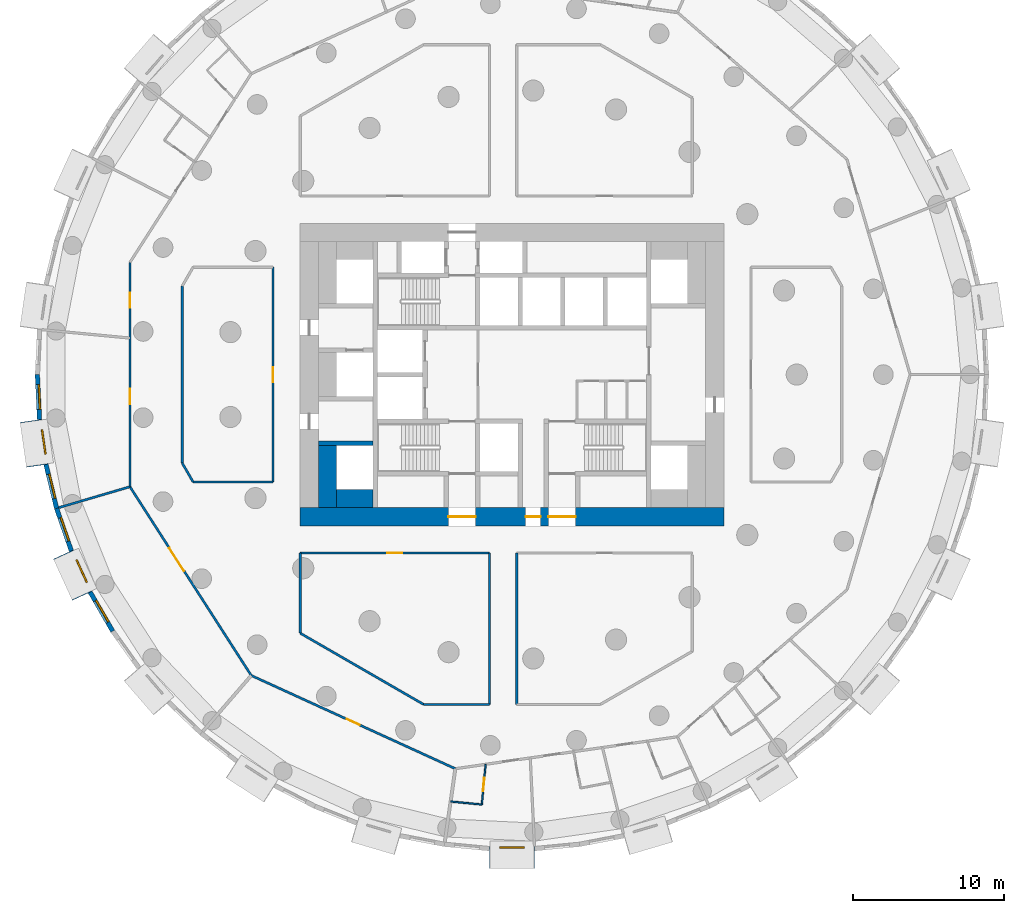
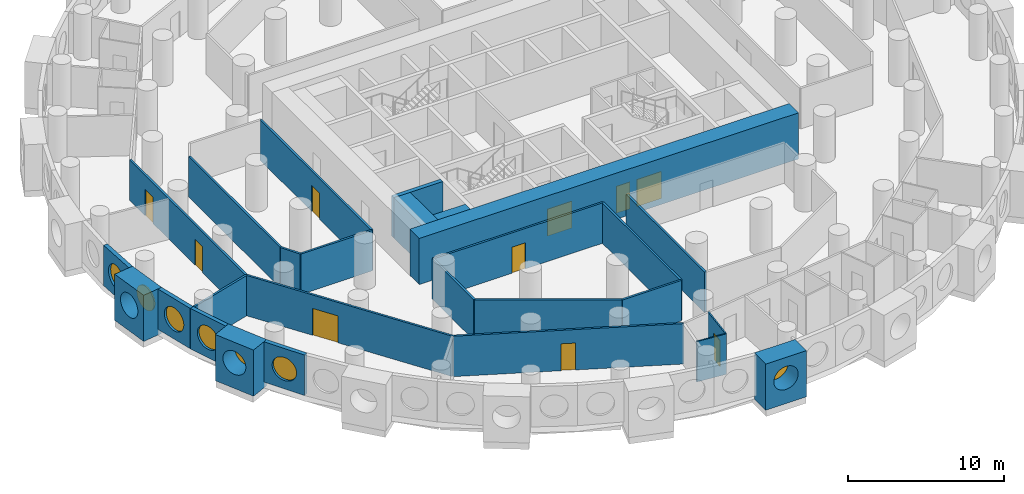
# One storey, part 3 of 11: 27 walls, 10 doors, 7 windows, 17 openings.
"""IFC4 building model written with IfcOpenShell, lengths in metres."""

from ifc_helpers import new_model, si_unit, direction, frame, frame_2d, origin, origin_2d, place, context, subcontext, project, spatial, rectangle, circle, extrude, material, layer, layer_set, type_object, element, fill, save


model = new_model("IFC4")

# Units and contexts
model_context = context("Model", 3, precision=1e-05, world=origin(), true_north=direction((0.0, 1.0)))
body_context = subcontext(model_context, "Body", "Model", "MODEL_VIEW")
ifc_project = project(units=[si_unit("LENGTHUNIT", "METRE"), si_unit("AREAUNIT", "SQUARE_METRE"), si_unit("VOLUMEUNIT", "CUBIC_METRE"), si_unit("PLANEANGLEUNIT", "RADIAN"), si_unit("MASSUNIT", "GRAM", prefix="KILO")], contexts=[model_context])

# Site, building, storey
site_placement = place(None, origin())
site = spatial("IfcSite", under=ifc_project, at=site_placement, CompositionType="ELEMENT")
building_placement = place(site_placement, origin())
building = spatial("IfcBuilding", under=site, at=building_placement, Name="Tracery Tower", CompositionType="ELEMENT")
storey_placement = place(building_placement, frame((0.0, 0.0, 100.199951171875)))
storey = spatial("IfcBuildingStorey", under=building, at=storey_placement, Name="L25", CompositionType="ELEMENT", Elevation=100.199951171875)

# Walls
ifc_material_1 = material(Name="Concrete C60/75", Category="concrete")
ifc_layer_1 = layer(ifc_material_1, 1.199951171875)
ifc_layer_set_1 = layer_set([ifc_layer_1], Name="Core strip wall 1200 C60")
wall_type_1 = type_object("IfcWallType", Name="Core strip wall 1200 C60", PredefinedType="SOLIDWALL", material=ifc_layer_set_1)
wall_1_placement = place(storey_placement, frame((-12.199951171875, -8.800048828125, 0.0), z_axis=(0.0, 0.0, 1.0), x_axis=(0.0, 1.0, 0.0)))
element("IfcWall", 1, at=wall_1_placement, inside=storey, type_object=wall_type_1, Name="L25 wing strip -1 -9.4", PredefinedType="SOLIDWALL", context=body_context, shape_type="SweptSolid", body=[
    extrude(rectangle(XDim=4.10009765625, YDim=1.199951171875, at=frame_2d((2.050048828125, 0.0))), origin(), (0.0, 0.0, 1.0), 3.150146484375),
])
wall_2_placement = place(storey_placement, frame((-11.60009765625, -8.199951171875, 0.0), z_axis=(0.0, 0.0, 1.0), x_axis=(1.0, 0.0, 0.0)))
element("IfcWall", 2, at=wall_2_placement, inside=storey, type_object=wall_type_1, Name="L25 wing corner -1 -8.2", PredefinedType="SOLIDWALL", context=body_context, shape_type="SweptSolid", body=[
    extrude(rectangle(XDim=2.400146484375, YDim=1.199951171875, at=frame_2d((1.2001953125, 0.0))), origin(), (0.0, 0.0, 1.0), 3.150146484375),
])

# Wall, openings, doors
ifc_material_2 = material(Name="Concrete C60/75", Category="concrete")
ifc_layer_2 = layer(ifc_material_2, 1.199951171875)
ifc_layer_set_2 = layer_set([ifc_layer_2], Name="Core wall 1200 C60")
wall_type_2 = type_object("IfcWallType", Name="Core wall 1200 C60", PredefinedType="SOLIDWALL", material=ifc_layer_set_2)
wall_3_placement = place(storey_placement, frame((-14.0, -9.39990234375, 0.0), z_axis=(0.0, 0.0, 1.0), x_axis=(1.0, 0.0, 0.0)))
wall_3 = element("IfcWall", 3, at=wall_3_placement, inside=storey, type_object=wall_type_2, Name="L25 outer S", PredefinedType="SOLIDWALL", context=body_context, shape_type="SweptSolid", body=[
    extrude(rectangle(XDim=28.0, YDim=1.199951171875, at=frame_2d((14.0, 0.0))), origin(), (0.0, 0.0, 1.0), 3.60009765625),
])
opening_1_placement = place(wall_3_placement, frame((14.89990234375, 0.0, 0.0)))
opening_1 = element("IfcOpeningElement", 4, at=opening_1_placement, cuts=wall_3, Name="Opening KD16", PredefinedType="OPENING", context=body_context, shape_type="SweptSolid", body=[
    extrude(rectangle(XDim=1.0, YDim=2.10009765625, at=frame_2d((0.5, 1.050048828125))), frame((0.0, 0.60009765625, 0.0), z_axis=(0.0, -1.0, 0.0), x_axis=(1.0, 0.0, 0.0)), (0.0, 0.0, 1.0), 1.199951171875),
])
opening_2_placement = place(wall_3_placement, frame((9.800048828125, 0.0, 0.0)))
opening_2 = element("IfcOpeningElement", 5, at=opening_2_placement, cuts=wall_3, Name="Opening KD13", PredefinedType="OPENING", context=body_context, shape_type="SweptSolid", body=[
    extrude(rectangle(XDim=1.800048828125, YDim=2.10009765625, at=frame_2d((0.89990234375, 1.050048828125))), frame((0.0, 0.60009765625, 0.0), z_axis=(0.0, -1.0, 0.0), x_axis=(1.0, 0.0, 0.0)), (0.0, 0.0, 1.0), 1.199951171875),
])
opening_3_placement = place(wall_3_placement, frame((16.39990234375, 0.0, 0.0)))
opening_3 = element("IfcOpeningElement", 6, at=opening_3_placement, cuts=wall_3, Name="Opening KD13", PredefinedType="OPENING", context=body_context, shape_type="SweptSolid", body=[
    extrude(rectangle(XDim=1.800048828125, YDim=2.10009765625, at=frame_2d((0.89990234375, 1.050048828125))), frame((0.0, 0.60009765625, 0.0), z_axis=(0.0, -1.0, 0.0), x_axis=(1.0, 0.0, 0.0)), (0.0, 0.0, 1.0), 1.199951171875),
])
ifc_material_3 = material(Name="Steel fire door", Category="steel")
door_type_1 = type_object("IfcDoorType", Name="Core exit door 1000", OperationType="NOTDEFINED", PredefinedType="DOOR", material=ifc_material_3)
door_1_placement = place(opening_1_placement, origin())
door_1 = element("IfcDoor", 7, at=door_1_placement, inside=storey, type_object=door_type_1, Name="Core exit door", OperationType="SINGLE_SWING_LEFT", OverallHeight=2.10009765625, OverallWidth=1.0, PredefinedType="DOOR", context=body_context, shape_type="SweptSolid", body=[
    extrude(rectangle(XDim=1.0, YDim=2.10009765625, at=frame_2d((0.5, 1.050048828125))), frame((0.0, 0.02490234375, 0.0), z_axis=(0.0, -1.0, 0.0), x_axis=(1.0, 0.0, 0.0)), (0.0, 0.0, 1.0), 0.050048828125),
])
fill(opening_1, door_1)
ifc_material_4 = material(Name="Steel fire door", Category="steel")
door_type_2 = type_object("IfcDoorType", Name="Core exit door 1800 double", OperationType="NOTDEFINED", PredefinedType="DOOR", material=ifc_material_4)
door_2_placement = place(opening_2_placement, origin())
door_2 = element("IfcDoor", 8, at=door_2_placement, inside=storey, type_object=door_type_2, Name="Core exit door", OperationType="DOUBLE_DOOR_SINGLE_SWING", OverallHeight=2.10009765625, OverallWidth=1.800048828125, PredefinedType="DOOR", context=body_context, shape_type="SweptSolid", body=[
    extrude(rectangle(XDim=1.800048828125, YDim=2.10009765625, at=frame_2d((0.89990234375, 1.050048828125))), frame((0.0, 0.02490234375, 0.0), z_axis=(0.0, -1.0, 0.0), x_axis=(1.0, 0.0, 0.0)), (0.0, 0.0, 1.0), 0.050048828125),
])
fill(opening_2, door_2)
door_3_placement = place(opening_3_placement, origin())
door_3 = element("IfcDoor", 9, at=door_3_placement, inside=storey, type_object=door_type_2, Name="Core exit door", OperationType="DOUBLE_DOOR_SINGLE_SWING", OverallHeight=2.10009765625, OverallWidth=1.800048828125, PredefinedType="DOOR", context=body_context, shape_type="SweptSolid", body=[
    extrude(rectangle(XDim=1.800048828125, YDim=2.10009765625, at=frame_2d((0.89990234375, 1.050048828125))), frame((0.0, 0.02490234375, 0.0), z_axis=(0.0, -1.0, 0.0), x_axis=(1.0, 0.0, 0.0)), (0.0, 0.0, 1.0), 0.050048828125),
])
fill(opening_3, door_3)

# Wall, opening, window
ifc_material_5 = material(Name="Precast concrete C50/60", Category="concrete")
ifc_layer_3 = layer(ifc_material_5, 1.449951171875)
ifc_layer_set_3 = layer_set([ifc_layer_3], Name="Deep-set bay unit 3000 x 3600, slab edge 450")
wall_type_3 = type_object("IfcWallType", Name="Deep-set bay unit 3000 x 3600, slab edge 450", PredefinedType="ELEMENTEDWALL", material=ifc_layer_set_3)
wall_4_placement = place(storey_placement, frame((-31.802490234375, -3.05712890625, -0.449951171875), z_axis=(0.0, 0.0, 1.0), x_axis=(0.142332746704, -0.989818866872, 0.0)))
wall_4 = element("IfcWall", 10, at=wall_4_placement, inside=storey, type_object=wall_type_3, Name="Deep-set bay unit 35 at L25", PredefinedType="ELEMENTEDWALL", context=body_context, shape_type="SweptSolid", body=[
    extrude(rectangle(XDim=3.0, YDim=1.449951171875, at=frame_2d((1.5, 0.0))), origin(), (0.0, 0.0, 1.0), 3.60009765625),
])
opening_4_placement = place(wall_4_placement, frame((1.5, 0.0, 2.0)))
opening_4 = element("IfcOpeningElement", 11, at=opening_4_placement, cuts=wall_4, Name="Opening WN1", PredefinedType="OPENING", context=body_context, shape_type="SweptSolid", body=[
    extrude(circle(Radius=0.9000244140625, at=origin_2d()), frame((0.0, 0.73486328125, 0.0), z_axis=(0.0, -1.0, 0.0), x_axis=(1.0, 0.0, 0.0)), (0.0, 0.0, 1.0), 1.469970703125),
])
ifc_material_6 = material(Name="Aluminium frame with tinted double glazing", Category="aluminium")
window_type = type_object("IfcWindowType", Name="Round window 1800", PartitioningType="SINGLE_PANEL", PredefinedType="WINDOW", material=ifc_material_6)
window_1_placement = place(opening_4_placement, origin())
window_1 = element("IfcWindow", 12, at=window_1_placement, inside=storey, type_object=window_type, Name="Round window 35 at L25", OverallHeight=1.800048828125, OverallWidth=1.800048828125, PartitioningType="SINGLE_PANEL", PredefinedType="WINDOW", context=body_context, shape_type="SweptSolid", body=[
    extrude(circle(Radius=0.9000244140625, at=origin_2d()), frame((0.0, 0.69482421875, 0.0), z_axis=(0.0, -1.0, 0.0), x_axis=(1.0, 0.0, 0.0)), (0.0, 0.0, 1.0), 0.10009765625),
])
fill(opening_4, window_1)

wall_5_placement = place(storey_placement, frame((-29.653076171875, -11.89306640625, -0.449951171875), z_axis=(0.0, 0.0, 1.0), x_axis=(0.415427028395, -0.909626508012, 0.0)))
wall_5 = element("IfcWall", 13, at=wall_5_placement, inside=storey, type_object=wall_type_3, Name="Deep-set bay unit 38 at L25", PredefinedType="ELEMENTEDWALL", context=body_context, shape_type="SweptSolid", body=[
    extrude(rectangle(XDim=3.000244140625, YDim=1.449951171875, at=frame_2d((1.5, 0.0))), origin(), (0.0, 0.0, 1.0), 3.60009765625),
])
opening_5_placement = place(wall_5_placement, frame((1.5, 0.0, 2.0)))
opening_5 = element("IfcOpeningElement", 14, at=opening_5_placement, cuts=wall_5, Name="Opening WN1", PredefinedType="OPENING", context=body_context, shape_type="SweptSolid", body=[
    extrude(circle(Radius=0.9000244140625, at=origin_2d()), frame((0.0, 0.73486328125, 0.0), z_axis=(0.0, -1.0, 0.0), x_axis=(1.0, 0.0, 0.0)), (0.0, 0.0, 1.0), 1.469970703125),
])
window_2_placement = place(opening_5_placement, origin())
window_2 = element("IfcWindow", 15, at=window_2_placement, inside=storey, type_object=window_type, Name="Round window 38 at L25", OverallHeight=1.800048828125, OverallWidth=1.800048828125, PartitioningType="SINGLE_PANEL", PredefinedType="WINDOW", context=body_context, shape_type="SweptSolid", body=[
    extrude(circle(Radius=0.9000244140625, at=origin_2d()), frame((0.0, 0.69482421875, 0.0), z_axis=(0.0, -1.0, 0.0), x_axis=(1.0, 0.0, 0.0)), (0.0, 0.0, 1.0), 0.10009765625),
])
fill(opening_5, window_2)

wall_6_placement = place(storey_placement, frame((-1.5, -31.913818359375, -0.449951171875), z_axis=(0.0, 0.0, 1.0), x_axis=(1.0, 0.0, 0.0)))
wall_6 = element("IfcWall", 16, at=wall_6_placement, inside=storey, type_object=wall_type_3, Name="Deep-set bay unit 50 at L25", PredefinedType="ELEMENTEDWALL", context=body_context, shape_type="SweptSolid", body=[
    extrude(rectangle(XDim=3.0, YDim=1.449951171875, at=frame_2d((1.5, 0.0))), origin(), (0.0, 0.0, 1.0), 3.60009765625),
])
opening_6_placement = place(wall_6_placement, frame((1.5, 0.0, 2.0)))
opening_6 = element("IfcOpeningElement", 17, at=opening_6_placement, cuts=wall_6, Name="Opening WN1", PredefinedType="OPENING", context=body_context, shape_type="SweptSolid", body=[
    extrude(circle(Radius=0.9000244140625, at=origin_2d()), frame((0.0, 0.73486328125, 0.0), z_axis=(0.0, -1.0, 0.0), x_axis=(1.0, 0.0, 0.0)), (0.0, 0.0, 1.0), 1.469970703125),
])
window_3_placement = place(opening_6_placement, origin())
window_3 = element("IfcWindow", 18, at=window_3_placement, inside=storey, type_object=window_type, Name="Round window 50 at L25", OverallHeight=1.800048828125, OverallWidth=1.800048828125, PartitioningType="SINGLE_PANEL", PredefinedType="WINDOW", context=body_context, shape_type="SweptSolid", body=[
    extrude(circle(Radius=0.9000244140625, at=origin_2d()), frame((0.0, 0.69482421875, 0.0), z_axis=(0.0, -1.0, 0.0), x_axis=(1.0, 0.0, 0.0)), (0.0, 0.0, 1.0), 0.10009765625),
])
fill(opening_6, window_3)

ifc_material_7 = material(Name="Precast concrete C50/60", Category="concrete")
ifc_layer_4 = layer(ifc_material_7, 0.300048828125)
ifc_layer_set_4 = layer_set([ifc_layer_4], Name="Facade panel 3000 x 3150")
wall_type_4 = type_object("IfcWallType", Name="Facade panel 3000 x 3150", PredefinedType="SOLIDWALL", material=ifc_layer_set_4)
wall_7_placement = place(storey_placement, frame((-31.37451171875, 0.0, 0.0), z_axis=(0.0, 0.0, 1.0), x_axis=(0.047604077644, -0.998866283239, 0.0)))
wall_7 = element("IfcWall", 19, at=wall_7_placement, inside=storey, type_object=wall_type_4, Name="Facade panel 34 at L25", PredefinedType="SOLIDWALL", context=body_context, shape_type="SweptSolid", body=[
    extrude(rectangle(XDim=2.979736328125, YDim=0.300048828125, at=frame_2d((1.48974609375, 0.0))), origin(), (0.0, 0.0, 1.0), 3.150146484375),
])
opening_7_placement = place(wall_7_placement, frame((1.48974609375, 0.0, 1.5498046875)))
opening_7 = element("IfcOpeningElement", 20, at=opening_7_placement, cuts=wall_7, Name="Opening WN1", PredefinedType="OPENING", context=body_context, shape_type="SweptSolid", body=[
    extrude(circle(Radius=0.9000244140625, at=origin_2d()), frame((0.0, 0.159912109375, 0.0), z_axis=(0.0, -1.0, 0.0), x_axis=(1.0, 0.0, 0.0)), (0.0, 0.0, 1.0), 0.320068359375),
])
window_4_placement = place(opening_7_placement, origin())
window_4 = element("IfcWindow", 21, at=window_4_placement, inside=storey, type_object=window_type, Name="Round window 34 at L25", OverallHeight=1.800048828125, OverallWidth=1.800048828125, PartitioningType="SINGLE_PANEL", PredefinedType="WINDOW", context=body_context, shape_type="SweptSolid", body=[
    extrude(circle(Radius=0.9000244140625, at=origin_2d()), frame((0.0, 0.1201171875, 0.0), z_axis=(0.0, -1.0, 0.0), x_axis=(1.0, 0.0, 0.0)), (0.0, 0.0, 1.0), 0.10009765625),
])
fill(opening_7, window_4)

wall_8_placement = place(storey_placement, frame((-30.805908203125, -5.943603515625, 0.0), z_axis=(0.0, 0.0, 1.0), x_axis=(0.235743081534, -0.971815414319, 0.0)))
wall_8 = element("IfcWall", 22, at=wall_8_placement, inside=storey, type_object=wall_type_4, Name="Facade panel 36 at L25", PredefinedType="SOLIDWALL", context=body_context, shape_type="SweptSolid", body=[
    extrude(rectangle(XDim=2.9794921875, YDim=0.300048828125, at=frame_2d((1.48974609375, 0.0))), origin(), (0.0, 0.0, 1.0), 3.150146484375),
])
opening_8_placement = place(wall_8_placement, frame((1.48974609375, 0.0, 1.5498046875)))
opening_8 = element("IfcOpeningElement", 23, at=opening_8_placement, cuts=wall_8, Name="Opening WN1", PredefinedType="OPENING", context=body_context, shape_type="SweptSolid", body=[
    extrude(circle(Radius=0.9000244140625, at=origin_2d()), frame((0.0, 0.159912109375, 0.0), z_axis=(0.0, -1.0, 0.0), x_axis=(1.0, 0.0, 0.0)), (0.0, 0.0, 1.0), 0.320068359375),
])
window_5_placement = place(opening_8_placement, origin())
window_5 = element("IfcWindow", 24, at=window_5_placement, inside=storey, type_object=window_type, Name="Round window 36 at L25", OverallHeight=1.800048828125, OverallWidth=1.800048828125, PartitioningType="SINGLE_PANEL", PredefinedType="WINDOW", context=body_context, shape_type="SweptSolid", body=[
    extrude(circle(Radius=0.9000244140625, at=origin_2d()), frame((0.0, 0.1201171875, 0.0), z_axis=(0.0, -1.0, 0.0), x_axis=(1.0, 0.0, 0.0)), (0.0, 0.0, 1.0), 0.10009765625),
])
fill(opening_8, window_5)

wall_9_placement = place(storey_placement, frame((-30.103515625, -8.839111328125, 0.0), z_axis=(0.0, 0.0, 1.0), x_axis=(0.327071167136, -0.944999709856, 0.0)))
wall_9 = element("IfcWall", 25, at=wall_9_placement, inside=storey, type_object=wall_type_4, Name="Facade panel 37 at L25", PredefinedType="SOLIDWALL", context=body_context, shape_type="SweptSolid", body=[
    extrude(rectangle(XDim=2.979736328125, YDim=0.300048828125, at=frame_2d((1.48974609375, 0.0))), origin(), (0.0, 0.0, 1.0), 3.150146484375),
])
opening_9_placement = place(wall_9_placement, frame((1.48974609375, 0.0, 1.5498046875)))
opening_9 = element("IfcOpeningElement", 26, at=opening_9_placement, cuts=wall_9, Name="Opening WN1", PredefinedType="OPENING", context=body_context, shape_type="SweptSolid", body=[
    extrude(circle(Radius=0.9000244140625, at=origin_2d()), frame((0.0, 0.159912109375, 0.0), z_axis=(0.0, -1.0, 0.0), x_axis=(1.0, 0.0, 0.0)), (0.0, 0.0, 1.0), 0.320068359375),
])
window_6_placement = place(opening_9_placement, origin())
window_6 = element("IfcWindow", 27, at=window_6_placement, inside=storey, type_object=window_type, Name="Round window 37 at L25", OverallHeight=1.800048828125, OverallWidth=1.800048828125, PartitioningType="SINGLE_PANEL", PredefinedType="WINDOW", context=body_context, shape_type="SweptSolid", body=[
    extrude(circle(Radius=0.9000244140625, at=origin_2d()), frame((0.0, 0.1201171875, 0.0), z_axis=(0.0, -1.0, 0.0), x_axis=(1.0, 0.0, 0.0)), (0.0, 0.0, 1.0), 0.10009765625),
])
fill(opening_9, window_6)

wall_10_placement = place(storey_placement, frame((-27.8837890625, -14.3818359375, 0.0), z_axis=(0.0, 0.0, 1.0), x_axis=(0.500025049464, -0.866010940986, 0.0)))
wall_10 = element("IfcWall", 28, at=wall_10_placement, inside=storey, type_object=wall_type_4, Name="Facade panel 39 at L25", PredefinedType="SOLIDWALL", context=body_context, shape_type="SweptSolid", body=[
    extrude(rectangle(XDim=2.979736328125, YDim=0.300048828125, at=frame_2d((1.48974609375, 0.0))), origin(), (0.0, 0.0, 1.0), 3.150146484375),
])
opening_10_placement = place(wall_10_placement, frame((1.48974609375, 0.0, 1.5498046875)))
opening_10 = element("IfcOpeningElement", 29, at=opening_10_placement, cuts=wall_10, Name="Opening WN1", PredefinedType="OPENING", context=body_context, shape_type="SweptSolid", body=[
    extrude(circle(Radius=0.9000244140625, at=origin_2d()), frame((0.0, 0.159912109375, 0.0), z_axis=(0.0, -1.0, 0.0), x_axis=(1.0, 0.0, 0.0)), (0.0, 0.0, 1.0), 0.320068359375),
])
window_7_placement = place(opening_10_placement, origin())
window_7 = element("IfcWindow", 30, at=window_7_placement, inside=storey, type_object=window_type, Name="Round window 39 at L25", OverallHeight=1.800048828125, OverallWidth=1.800048828125, PartitioningType="SINGLE_PANEL", PredefinedType="WINDOW", context=body_context, shape_type="SweptSolid", body=[
    extrude(circle(Radius=0.9000244140625, at=origin_2d()), frame((0.0, 0.1201171875, 0.0), z_axis=(0.0, -1.0, 0.0), x_axis=(1.0, 0.0, 0.0)), (0.0, 0.0, 1.0), 0.10009765625),
])
fill(opening_10, window_7)

# Wall
ifc_material_8 = material(Name="Plasterboard on steel studs", Category="steel")
ifc_layer_5 = layer(ifc_material_8, 0.10009765625)
ifc_layer_set_5 = layer_set([ifc_layer_5], Name="Partition 100 wet wall")
wall_type_5 = type_object("IfcWallType", Name="Partition 100 wet wall", PredefinedType="PARTITIONING", material=ifc_layer_set_5)
wall_11_placement = place(storey_placement, frame((-4.05810546875, -28.220947265625, 0.0), z_axis=(0.0, 0.0, 1.0), x_axis=(0.995466291052, -0.095115000814, 0.0)))
element("IfcWall", 31, at=wall_11_placement, inside=storey, type_object=wall_type_5, Name="Wet wall RA7-073", PredefinedType="PARTITIONING", context=body_context, shape_type="SweptSolid", body=[
    extrude(rectangle(XDim=2.0712890625, YDim=0.10009765625, at=frame_2d((1.03564453125, 0.0))), origin(), (0.0, 0.0, 1.0), 3.150146484375),
])

# Wall, opening, door
wall_12_placement = place(storey_placement, frame((-1.99609375, -28.41796875, 0.0), z_axis=(0.0, 0.0, 1.0), x_axis=(0.094925726797, 0.995484357683, 0.0)))
wall_12 = element("IfcWall", 32, at=wall_12_placement, inside=storey, type_object=wall_type_5, Name="Wet wall RA7-074", PredefinedType="PARTITIONING", context=body_context, shape_type="SweptSolid", body=[
    extrude(rectangle(XDim=2.6669921875, YDim=0.10009765625, at=frame_2d((1.33349609375, 0.0))), origin(), (0.0, 0.0, 1.0), 3.150146484375),
])
opening_11_placement = place(wall_12_placement, frame((0.884033203125, 0.0, 0.0)))
opening_11 = element("IfcOpeningElement", 33, at=opening_11_placement, cuts=wall_12, Name="Opening RA7-27", PredefinedType="OPENING", context=body_context, shape_type="SweptSolid", body=[
    extrude(rectangle(XDim=0.89990234375, YDim=2.0400390625, at=frame_2d((0.449951171875, 1.02001953125))), frame((0.0, 0.050048828125, 0.0), z_axis=(0.0, -1.0, 0.0), x_axis=(1.0, 0.0, 0.0)), (0.0, 0.0, 1.0), 0.10009765625),
])
ifc_material_9 = material(Name="Timber door leaf", Category="wood")
door_type_3 = type_object("IfcDoorType", Name="Door en-suite 900", OperationType="NOTDEFINED", PredefinedType="DOOR", material=ifc_material_9)
door_4_placement = place(opening_11_placement, origin())
door_4 = element("IfcDoor", 34, at=door_4_placement, inside=storey, type_object=door_type_3, Name="En-suite door RA7-27", OperationType="SINGLE_SWING_RIGHT", OverallHeight=2.0400390625, OverallWidth=0.89990234375, PredefinedType="DOOR", context=body_context, shape_type="SweptSolid", body=[
    extrude(rectangle(XDim=0.89990234375, YDim=2.0400390625, at=frame_2d((0.449951171875, 1.02001953125))), frame((0.0, 0.02490234375, 0.0), z_axis=(0.0, -1.0, 0.0), x_axis=(1.0, 0.0, 0.0)), (0.0, 0.0, 1.0), 0.050048828125),
])
fill(opening_11, door_4)

# Wall
ifc_material_10 = material(Name="Plasterboard on steel studs", Category="steel")
ifc_layer_6 = layer(ifc_material_10, 0.14990234375)
ifc_layer_set_6 = layer_set([ifc_layer_6], Name="Partition 150 acoustic unit wall")
wall_type_6 = type_object("IfcWallType", Name="Partition 150 acoustic unit wall", PredefinedType="PARTITIONING", material=ifc_layer_set_6)
wall_13_placement = place(storey_placement, frame((-29.958984375, -8.797119140625, 0.0), z_axis=(0.0, 0.0, 1.0), x_axis=(0.959478767209, 0.281780934902, 0.0)))
element("IfcWall", 35, at=wall_13_placement, inside=storey, type_object=wall_type_6, Name="Unit wall RA7-070", PredefinedType="PARTITIONING", context=body_context, shape_type="SweptSolid", body=[
    extrude(rectangle(XDim=4.90478515625, YDim=0.14990234375, at=frame_2d((2.452392578125, 0.0))), origin(), (0.0, 0.0, 1.0), 3.150146484375),
])

# Wall, opening, door
ifc_material_11 = material(Name="Plasterboard on steel studs", Category="steel")
ifc_layer_7 = layer(ifc_material_11, 0.14990234375)
ifc_layer_set_7 = layer_set([ifc_layer_7], Name="Partition 150 corridor wall")
wall_type_7 = type_object("IfcWallType", Name="Partition 150 corridor wall", PredefinedType="PARTITIONING", material=ifc_layer_set_7)
wall_14_placement = place(storey_placement, frame((-14.00390625, -11.800048828125, 0.0), z_axis=(0.0, 0.0, 1.0), x_axis=(1.0, 0.0, 0.0)))
wall_14 = element("IfcWall", 36, at=wall_14_placement, inside=storey, type_object=wall_type_7, Name="Corridor wall RA7-003", PredefinedType="PARTITIONING", context=body_context, shape_type="SweptSolid", body=[
    extrude(rectangle(XDim=12.517822265625, YDim=0.14990234375, at=frame_2d((6.2587890625, 0.0))), origin(), (0.0, 0.0, 1.0), 3.150146484375),
])
opening_12_placement = place(wall_14_placement, frame((5.759033203125, 0.0, 0.0)))
opening_12 = element("IfcOpeningElement", 37, at=opening_12_placement, cuts=wall_14, Name="Opening RA7-03", PredefinedType="OPENING", context=body_context, shape_type="SweptSolid", body=[
    extrude(rectangle(XDim=1.0, YDim=2.0400390625, at=frame_2d((0.5, 1.02001953125))), frame((0.0, 0.074951171875, 0.0), z_axis=(0.0, -1.0, 0.0), x_axis=(1.0, 0.0, 0.0)), (0.0, 0.0, 1.0), 0.14990234375),
])
ifc_material_12 = material(Name="Timber door leaf", Category="wood")
door_type_4 = type_object("IfcDoorType", Name="Door communal room 1000", OperationType="NOTDEFINED", PredefinedType="DOOR", material=ifc_material_12)
door_5_placement = place(opening_12_placement, origin())
door_5 = element("IfcDoor", 38, at=door_5_placement, inside=storey, type_object=door_type_4, Name="Communal room door RA7-03", OperationType="SINGLE_SWING_RIGHT", OverallHeight=2.0400390625, OverallWidth=1.0, PredefinedType="DOOR", context=body_context, shape_type="SweptSolid", body=[
    extrude(rectangle(XDim=1.0, YDim=2.0400390625, at=frame_2d((0.5, 1.02001953125))), frame((0.0, 0.02490234375, 0.0), z_axis=(0.0, -1.0, 0.0), x_axis=(1.0, 0.0, 0.0)), (0.0, 0.0, 1.0), 0.050048828125),
])
fill(opening_12, door_5)

wall_15_placement = place(storey_placement, frame((-15.800048828125, -7.10400390625, 0.0), z_axis=(0.0, 0.0, 1.0), x_axis=(0.0, 1.0, 0.0)))
wall_15 = element("IfcWall", 39, at=wall_15_placement, inside=storey, type_object=wall_type_7, Name="Corridor wall RA7-006", PredefinedType="PARTITIONING", context=body_context, shape_type="SweptSolid", body=[
    extrude(rectangle(XDim=14.2080078125, YDim=0.14990234375, at=frame_2d((7.10400390625, 0.0))), origin(), (0.0, 0.0, 1.0), 3.150146484375),
])
opening_13_placement = place(wall_15_placement, frame((6.60400390625, 0.0, 0.0)))
opening_13 = element("IfcOpeningElement", 40, at=opening_13_placement, cuts=wall_15, Name="Opening RA7-06", PredefinedType="OPENING", context=body_context, shape_type="SweptSolid", body=[
    extrude(rectangle(XDim=1.0, YDim=2.0400390625, at=frame_2d((0.5, 1.02001953125))), frame((0.0, 0.074951171875, 0.0), z_axis=(0.0, -1.0, 0.0), x_axis=(1.0, 0.0, 0.0)), (0.0, 0.0, 1.0), 0.14990234375),
])
door_6_placement = place(opening_13_placement, origin())
door_6 = element("IfcDoor", 41, at=door_6_placement, inside=storey, type_object=door_type_4, Name="Communal room door RA7-06", OperationType="SINGLE_SWING_RIGHT", OverallHeight=2.0400390625, OverallWidth=1.0, PredefinedType="DOOR", context=body_context, shape_type="SweptSolid", body=[
    extrude(rectangle(XDim=1.0, YDim=2.0400390625, at=frame_2d((0.5, 1.02001953125))), frame((0.0, 0.02490234375, 0.0), z_axis=(0.0, -1.0, 0.0), x_axis=(1.0, 0.0, 0.0)), (0.0, 0.0, 1.0), 0.050048828125),
])
fill(opening_13, door_6)

# Walls
wall_16_placement = place(storey_placement, frame((-14.0, -17.092041015625, 0.0), z_axis=(0.0, 0.0, 1.0), x_axis=(0.0, 1.0, 0.0)))
element("IfcWall", 42, at=wall_16_placement, inside=storey, type_object=wall_type_7, Name="Corridor wall RA7-027", PredefinedType="PARTITIONING", context=body_context, shape_type="SweptSolid", body=[
    extrude(rectangle(XDim=5.2919921875, YDim=0.14990234375, at=frame_2d((2.64599609375, 0.0))), origin(), (0.0, 0.0, 1.0), 3.150146484375),
])
wall_17_placement = place(storey_placement, frame((-21.802001953125, -5.842041015625, 0.0), z_axis=(0.0, 0.0, 1.0), x_axis=(0.0, 1.0, 0.0)))
element("IfcWall", 43, at=wall_17_placement, inside=storey, type_object=wall_type_7, Name="Corridor wall RA7-030", PredefinedType="PARTITIONING", context=body_context, shape_type="SweptSolid", body=[
    extrude(rectangle(XDim=11.68408203125, YDim=0.14990234375, at=frame_2d((5.842041015625, 0.0))), origin(), (0.0, 0.0, 1.0), 3.150146484375),
])
wall_18_placement = place(storey_placement, frame((-21.802001953125, -5.842041015625, 0.0), z_axis=(0.0, 0.0, 1.0), x_axis=(0.499863102386, -0.866104427234, 0.0)))
element("IfcWall", 44, at=wall_18_placement, inside=storey, type_object=wall_type_7, Name="Corridor wall RA7-031", PredefinedType="PARTITIONING", context=body_context, shape_type="SweptSolid", body=[
    extrude(rectangle(XDim=1.45263671875, YDim=0.14990234375, at=frame_2d((0.726318359375, 0.0))), origin(), (0.0, 0.0, 1.0), 3.150146484375),
])
wall_19_placement = place(storey_placement, frame((-21.075927734375, -7.10009765625, 0.0), z_axis=(0.0, 0.0, 1.0), x_axis=(1.0, 0.0, 0.0)))
element("IfcWall", 45, at=wall_19_placement, inside=storey, type_object=wall_type_7, Name="Corridor wall RA7-032", PredefinedType="PARTITIONING", context=body_context, shape_type="SweptSolid", body=[
    extrude(rectangle(XDim=5.27587890625, YDim=0.14990234375, at=frame_2d((2.637939453125, 0.0))), origin(), (0.0, 0.0, 1.0), 3.150146484375),
])

# Wall, openings, doors
wall_20_placement = place(storey_placement, frame((-25.2529296875, -7.4150390625, 0.0), z_axis=(0.0, 0.0, 1.0), x_axis=(0.0, 1.0, 0.0)))
wall_20 = element("IfcWall", 46, at=wall_20_placement, inside=storey, type_object=wall_type_7, Name="Corridor wall RA7-034", PredefinedType="PARTITIONING", context=body_context, shape_type="SweptSolid", body=[
    extrude(rectangle(XDim=14.830078125, YDim=0.14990234375, at=frame_2d((7.4150390625, 0.0))), origin(), (0.0, 0.0, 1.0), 3.150146484375),
])
opening_14_placement = place(wall_20_placement, frame((11.825927734375, 0.0, 0.0)))
opening_14 = element("IfcOpeningElement", 47, at=opening_14_placement, cuts=wall_20, Name="Opening RA7-23", PredefinedType="OPENING", context=body_context, shape_type="SweptSolid", body=[
    extrude(rectangle(XDim=1.0, YDim=2.0400390625, at=frame_2d((0.5, 1.02001953125))), frame((0.0, 0.074951171875, 0.0), z_axis=(0.0, -1.0, 0.0), x_axis=(1.0, 0.0, 0.0)), (0.0, 0.0, 1.0), 0.14990234375),
])
opening_15_placement = place(wall_20_placement, frame((5.465087890625, 0.0, 0.0)))
opening_15 = element("IfcOpeningElement", 48, at=opening_15_placement, cuts=wall_20, Name="Opening RA7-24", PredefinedType="OPENING", context=body_context, shape_type="SweptSolid", body=[
    extrude(rectangle(XDim=1.0, YDim=2.0400390625, at=frame_2d((0.5, 1.02001953125))), frame((0.0, 0.074951171875, 0.0), z_axis=(0.0, -1.0, 0.0), x_axis=(1.0, 0.0, 0.0)), (0.0, 0.0, 1.0), 0.14990234375),
])
door_7_placement = place(opening_14_placement, origin())
door_7 = element("IfcDoor", 49, at=door_7_placement, inside=storey, type_object=door_type_4, Name="Communal room door RA7-23", OperationType="SINGLE_SWING_RIGHT", OverallHeight=2.0400390625, OverallWidth=1.0, PredefinedType="DOOR", context=body_context, shape_type="SweptSolid", body=[
    extrude(rectangle(XDim=1.0, YDim=2.0400390625, at=frame_2d((0.5, 1.02001953125))), frame((0.0, 0.02490234375, 0.0), z_axis=(0.0, -1.0, 0.0), x_axis=(1.0, 0.0, 0.0)), (0.0, 0.0, 1.0), 0.050048828125),
])
fill(opening_14, door_7)
door_8_placement = place(opening_15_placement, origin())
door_8 = element("IfcDoor", 50, at=door_8_placement, inside=storey, type_object=door_type_4, Name="Communal room door RA7-24", OperationType="SINGLE_SWING_RIGHT", OverallHeight=2.0400390625, OverallWidth=1.0, PredefinedType="DOOR", context=body_context, shape_type="SweptSolid", body=[
    extrude(rectangle(XDim=1.0, YDim=2.0400390625, at=frame_2d((0.5, 1.02001953125))), frame((0.0, 0.02490234375, 0.0), z_axis=(0.0, -1.0, 0.0), x_axis=(1.0, 0.0, 0.0)), (0.0, 0.0, 1.0), 0.050048828125),
])
fill(opening_15, door_8)

# Wall, opening, door
wall_21_placement = place(storey_placement, frame((-25.2529296875, -7.4150390625, 0.0), z_axis=(0.0, 0.0, 1.0), x_axis=(0.540656073354, -0.841243728265, 0.0)))
wall_21 = element("IfcWall", 51, at=wall_21_placement, inside=storey, type_object=wall_type_7, Name="Corridor wall RA7-035", PredefinedType="PARTITIONING", context=body_context, shape_type="SweptSolid", body=[
    extrude(rectangle(XDim=14.829345703125, YDim=0.14990234375, at=frame_2d((7.41455078125, 0.0))), origin(), (0.0, 0.0, 1.0), 3.150146484375),
])
opening_16_placement = place(wall_21_placement, frame((4.80419921875, 0.0, 0.0)))
opening_16 = element("IfcOpeningElement", 52, at=opening_16_placement, cuts=wall_21, Name="Opening RA7-25", PredefinedType="OPENING", context=body_context, shape_type="SweptSolid", body=[
    extrude(rectangle(XDim=1.800048828125, YDim=2.10009765625, at=frame_2d((0.89990234375, 1.050048828125))), frame((0.0, 0.074951171875, 0.0), z_axis=(0.0, -1.0, 0.0), x_axis=(1.0, 0.0, 0.0)), (0.0, 0.0, 1.0), 0.14990234375),
])
ifc_material_13 = material(Name="Timber door leaf", Category="wood")
door_type_5 = type_object("IfcDoorType", Name="Door double lounge 1800", OperationType="NOTDEFINED", PredefinedType="DOOR", material=ifc_material_13)
door_9_placement = place(opening_16_placement, origin())
door_9 = element("IfcDoor", 53, at=door_9_placement, inside=storey, type_object=door_type_5, Name="Double lounge door RA7-25", OperationType="DOUBLE_DOOR_SINGLE_SWING", OverallHeight=2.10009765625, OverallWidth=1.800048828125, PredefinedType="DOOR", context=body_context, shape_type="SweptSolid", body=[
    extrude(rectangle(XDim=1.800048828125, YDim=2.10009765625, at=frame_2d((0.89990234375, 1.050048828125))), frame((0.0, 0.02490234375, 0.0), z_axis=(0.0, -1.0, 0.0), x_axis=(1.0, 0.0, 0.0)), (0.0, 0.0, 1.0), 0.050048828125),
])
fill(opening_16, door_9)

# Walls
wall_22_placement = place(storey_placement, frame((-14.0, -17.092041015625, 0.0), z_axis=(0.0, 0.0, 1.0), x_axis=(0.86602719091, -0.499996904595, 0.0)))
element("IfcWall", 54, at=wall_22_placement, inside=storey, type_object=wall_type_7, Name="Corridor wall RA7-036", PredefinedType="PARTITIONING", context=body_context, shape_type="SweptSolid", body=[
    extrude(rectangle(XDim=9.419921875, YDim=0.14990234375, at=frame_2d((4.7099609375, 0.0))), origin(), (0.0, 0.0, 1.0), 3.150146484375),
])
wall_23_placement = place(storey_placement, frame((-5.842041015625, -21.802001953125, 0.0), z_axis=(0.0, 0.0, 1.0), x_axis=(1.0, 0.0, 0.0)))
element("IfcWall", 55, at=wall_23_placement, inside=storey, type_object=wall_type_7, Name="Corridor wall RA7-037", PredefinedType="PARTITIONING", context=body_context, shape_type="SweptSolid", body=[
    extrude(rectangle(XDim=4.35205078125, YDim=0.14990234375, at=frame_2d((2.176025390625, 0.0))), origin(), (0.0, 0.0, 1.0), 3.150146484375),
])
for number, where, z_axis, x_axis, name in (
    (56, (-1.489990234375, -21.802001953125, 0.0), (0.0, 0.0, 1.0), (0.0, 1.0, 0.0), "Corridor wall RA7-038"),
    (57, (0.31005859375, -21.802001953125, 0.0), (0.0, 0.0, 1.0), (0.0, 1.0, 0.0), "Corridor wall RA7-039"),
):
    element("IfcWall", number, at=place(storey_placement, frame(where, z_axis=z_axis, x_axis=x_axis)), inside=storey, type_object=wall_type_7, Name=name, PredefinedType="PARTITIONING", context=body_context, shape_type="SweptSolid", body=[
        extrude(rectangle(XDim=10.001953125, YDim=0.14990234375, at=frame_2d((5.0009765625, 0.0))), origin(), (0.0, 0.0, 1.0), 3.150146484375),
    ])

# Wall, opening, door
wall_24_placement = place(storey_placement, frame((-17.235107421875, -19.889892578125, 0.0), z_axis=(0.0, 0.0, 1.0), x_axis=(0.90960889055, -0.415465601743, 0.0)))
wall_24 = element("IfcWall", 58, at=wall_24_placement, inside=storey, type_object=wall_type_7, Name="Corridor wall RA7-043", PredefinedType="PARTITIONING", context=body_context, shape_type="SweptSolid", body=[
    extrude(rectangle(XDim=14.829345703125, YDim=0.14990234375, at=frame_2d((7.41455078125, 0.0))), origin(), (0.0, 0.0, 1.0), 3.150146484375),
])
opening_17_placement = place(wall_24_placement, frame((6.939453125, 0.0, 0.0)))
opening_17 = element("IfcOpeningElement", 59, at=opening_17_placement, cuts=wall_24, Name="Opening RA7-26", PredefinedType="OPENING", context=body_context, shape_type="SweptSolid", body=[
    extrude(rectangle(XDim=0.949951171875, YDim=2.10009765625, at=frame_2d((0.47509765625, 1.050048828125))), frame((0.0, 0.074951171875, 0.0), z_axis=(0.0, -1.0, 0.0), x_axis=(1.0, 0.0, 0.0)), (0.0, 0.0, 1.0), 0.14990234375),
])
ifc_material_14 = material(Name="Timber door leaf", Category="wood")
door_type_6 = type_object("IfcDoorType", Name="Door store 950", OperationType="NOTDEFINED", PredefinedType="DOOR", material=ifc_material_14)
door_10_placement = place(opening_17_placement, origin())
door_10 = element("IfcDoor", 60, at=door_10_placement, inside=storey, type_object=door_type_6, Name="Store door RA7-26", OperationType="SINGLE_SWING_RIGHT", OverallHeight=2.10009765625, OverallWidth=0.949951171875, PredefinedType="DOOR", context=body_context, shape_type="SweptSolid", body=[
    extrude(rectangle(XDim=0.949951171875, YDim=2.10009765625, at=frame_2d((0.47509765625, 1.050048828125))), frame((0.0, 0.02490234375, 0.0), z_axis=(0.0, -1.0, 0.0), x_axis=(1.0, 0.0, 0.0)), (0.0, 0.0, 1.0), 0.050048828125),
])
fill(opening_17, door_10)

# Wall
ifc_material_15 = material(Name="Concrete C60/75", Category="concrete")
ifc_layer_8 = layer(ifc_material_15, 0.300048828125)
ifc_layer_set_8 = layer_set([ifc_layer_8], Name="Shaft wall 300 C60")
wall_type_8 = type_object("IfcWallType", Name="Shaft wall 300 C60", PredefinedType="SOLIDWALL", material=ifc_layer_set_8)
wall_25_placement = place(storey_placement, frame((-12.800048828125, -4.550048828125, 0.0), z_axis=(0.0, 0.0, 1.0), x_axis=(1.0, 0.0, 0.0)))
element("IfcWall", 61, at=wall_25_placement, inside=storey, type_object=wall_type_8, Name="L25 wing shaft wall -1 -4.55", PredefinedType="SOLIDWALL", context=body_context, shape_type="SweptSolid", body=[
    extrude(rectangle(XDim=3.60009765625, YDim=0.300048828125, at=frame_2d((1.800048828125, 0.0))), origin(), (0.0, 0.0, 1.0), 3.150146484375),
])

save(model, "model.ifc")
